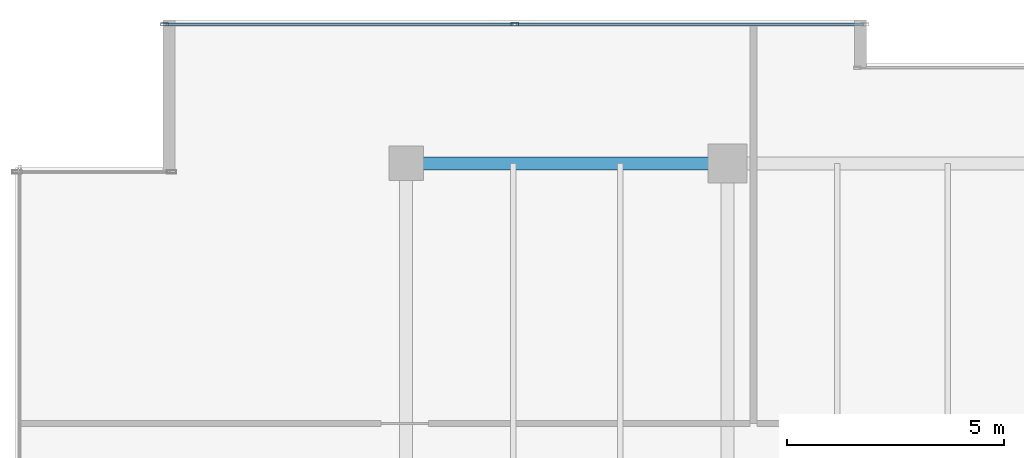
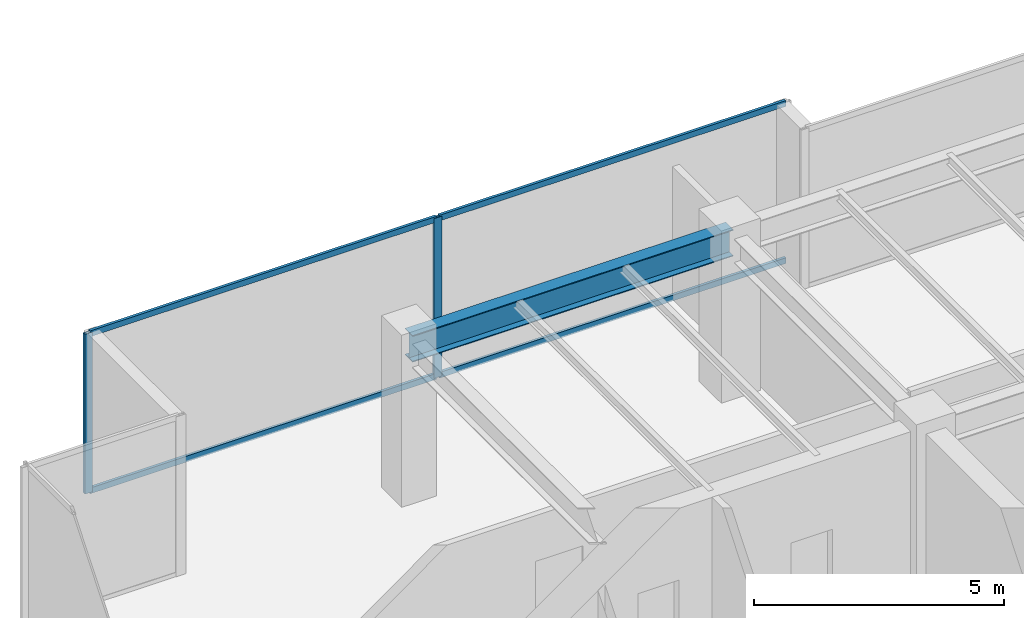
# One storey, part 20 of 31: 6 members, 1 beam, 1 element without a shape of its own.
"""IFC4 building model written with IfcOpenShell, lengths in metres."""

from ifc_helpers import new_model, si_unit, direction, frame, origin, origin_2d, place, context, subcontext, project, spatial, hollow_rectangle, i_section, extrude, source, transform, mapped, material, layer, layer_set, material_profile, profile_set, type_object, type_shapes, element, aggregate, save


model = new_model("IFC4")

# Units and contexts
model_context = context("Model", 3, precision=1e-05, world=origin(), true_north=direction((0.0, 1.0)))
body_context = subcontext(model_context, "Body", "Model", "MODEL_VIEW")
ifc_project = project(units=[si_unit("LENGTHUNIT", "METRE"), si_unit("AREAUNIT", "SQUARE_METRE"), si_unit("VOLUMEUNIT", "CUBIC_METRE"), si_unit("PLANEANGLEUNIT", "RADIAN"), si_unit("MASSUNIT", "GRAM", prefix="KILO")], contexts=[model_context])

# Site, building, storey
site_placement = place(None, origin())
site = spatial("IfcSite", under=ifc_project, at=site_placement, CompositionType="ELEMENT")
building_placement = place(site_placement, origin())
building = spatial("IfcBuilding", under=site, at=building_placement, Name="Haelvirn Gate Laboratories", CompositionType="ELEMENT")
storey_placement = place(building_placement, frame((0.0, 0.0, 318.60009765625)))
storey = spatial("IfcBuildingStorey", under=building, at=storey_placement, Name="L76", CompositionType="ELEMENT", Elevation=318.60009765625)

# Beam
ifc_material_1 = material(Name="Steel SM355", Category="steel")
ifc_material_profile_1 = material_profile(ifc_material_1, i_section(OverallWidth=0.300048828125, OverallDepth=0.64990234375, WebThickness=0.012939453125, FlangeThickness=0.02197265625, at=origin_2d()), Name="H-650x300x13x22")
ifc_profile_set_1 = profile_set([ifc_material_profile_1], Name="Steel SM355")
beam_type = type_object("IfcBeamType", Name="BM-G-650", PredefinedType="BEAM", material=ifc_profile_set_1)
shared_shape_1 = source(origin(), body_context, "Body", "SweptSolid", [
    extrude(i_section(OverallWidth=0.300048828125, OverallDepth=0.64990234375, WebThickness=0.012939453125, FlangeThickness=0.02197265625, at=origin_2d()), origin(), (0.0, 0.0, 1.0), 7.39990234375),
])
type_shapes(beam_type, [shared_shape_1])
beam_placement = place(storey_placement, frame((14.800048828125, 41.60009765625, 3.574951171875), z_axis=(1.0, 0.0, 0.0), x_axis=(0.0, 1.0, 0.0)))
element("IfcBeam", 1, at=beam_placement, inside=storey, type_object=beam_type, Name="L76 Primary Girder Y41.6 (14.8-22.2)", PredefinedType="BEAM", context=body_context, shape_type="MappedRepresentation", body=[
    mapped(shared_shape_1, transform((0.0, 0.0, 0.0), scale=1.0)),
])

# Curtain wall, members
ifc_material_2 = material(Name="Anodised bronze unitised aluminium & triple low-E glass", Category="aluminium")
ifc_layer = layer(ifc_material_2, 0.176025390625, Name="CW-SYS-4")
ifc_layer_set = layer_set([ifc_layer], Name="Anodised bronze unitised aluminium & triple low-E glass")
curtain_wall_type = type_object("IfcCurtainWallType", Name="CW-SYS-4", PredefinedType="NOTDEFINED", material=ifc_layer_set)
curtain_wall_placement = place(storey_placement, origin())
curtain_wall = element("IfcCurtainWall", 2, at=curtain_wall_placement, inside=storey, type_object=curtain_wall_type, Name="L76 Unitised Curtain Wall CW-L76-P0-E14-1", PredefinedType="NOTDEFINED")
ifc_material_3 = material(Name="Extruded aluminium 6063-T6 (anodised bronze)", Category="aluminium")
ifc_material_profile_2 = material_profile(ifc_material_3, hollow_rectangle(XDim=0.070068359375, YDim=0.179931640625, WallThickness=0.0048828125, at=origin_2d()), Name="CWM-180x70x5")
ifc_profile_set_2 = profile_set([ifc_material_profile_2], Name="Extruded aluminium 6063-T6 (anodised bronze)")
member_type_1 = type_object("IfcMemberType", Name="CWM-T180", PredefinedType="MULLION", material=ifc_profile_set_2)
shared_shape_2 = source(origin(), body_context, "Body", "SweptSolid", [
    extrude(hollow_rectangle(XDim=0.070068359375, YDim=0.179931640625, WallThickness=0.0048828125, at=origin_2d()), origin(), (0.0, 0.0, 1.0), 3.89990234375),
])
type_shapes(member_type_1, [shared_shape_2])
member_1_placement = place(storey_placement, frame((9.235107421875, 44.800048828125, 0.0), z_axis=(0.0, 0.0, 1.0), x_axis=(0.0, 1.0, 0.0)))
member_1 = element("IfcMember", 3, at=member_1_placement, type_object=member_type_1, Name="CW4 mullion 1", PredefinedType="MULLION", context=body_context, shape_type="MappedRepresentation", body=[
    mapped(shared_shape_2, transform((0.0, 0.0, 0.0), scale=1.0)),
])
member_2_placement = place(storey_placement, frame((17.300048828125, 44.800048828125, 0.0), z_axis=(0.0, 0.0, 1.0), x_axis=(0.0, 1.0, 0.0)))
member_2 = element("IfcMember", 4, at=member_2_placement, type_object=member_type_1, Name="CW4 mullion 2", PredefinedType="MULLION", context=body_context, shape_type="MappedRepresentation", body=[
    mapped(shared_shape_2, transform((0.0, 0.0, 0.0), scale=1.0)),
])
ifc_material_profile_3 = material_profile(ifc_material_3, hollow_rectangle(XDim=0.06494140625, YDim=0.139892578125, WallThickness=0.00390625, at=origin_2d()), Name="CWT-140x65x4")
ifc_profile_set_3 = profile_set([ifc_material_profile_3], Name="Extruded aluminium 6063-T6 (anodised bronze)")
member_type_2 = type_object("IfcMemberType", Name="CWT-T140", PredefinedType="USERDEFINED", material=ifc_profile_set_3)
shared_shape_3 = source(origin(), body_context, "Body", "SweptSolid", [
    extrude(hollow_rectangle(XDim=0.06494140625, YDim=0.139892578125, WallThickness=0.00390625, at=origin_2d()), origin(), (0.0, 0.0, 1.0), 7.9951171875),
])
member_3_placement = place(storey_placement, frame((17.3349609375, 44.800048828125, 0.032470703125), z_axis=(1.0, 0.0, 0.0), x_axis=(0.0, 1.0, 0.0)))
member_3 = element("IfcMember", 5, at=member_3_placement, type_object=member_type_2, Name="CW4 transom 2.1", ObjectType="TRANSOM", PredefinedType="USERDEFINED", context=body_context, shape_type="MappedRepresentation", body=[
    mapped(shared_shape_3, transform((0.0, 0.0, 0.0), scale=1.0)),
])
member_4_placement = place(storey_placement, frame((17.3349609375, 44.800048828125, 3.867431640625), z_axis=(1.0, 0.0, 0.0), x_axis=(0.0, 1.0, 0.0)))
member_4 = element("IfcMember", 6, at=member_4_placement, type_object=member_type_2, Name="CW4 transom 2.2", ObjectType="TRANSOM", PredefinedType="USERDEFINED", context=body_context, shape_type="MappedRepresentation", body=[
    mapped(shared_shape_3, transform((0.0, 0.0, 0.0), scale=1.0)),
])
shared_shape_4 = source(origin(), body_context, "Body", "SweptSolid", [
    extrude(hollow_rectangle(XDim=0.06494140625, YDim=0.139892578125, WallThickness=0.00390625, at=origin_2d()), origin(), (0.0, 0.0, 1.0), 7.994873046875),
])
type_shapes(member_type_2, [shared_shape_3, shared_shape_4])
member_5_placement = place(storey_placement, frame((9.27001953125, 44.800048828125, 0.032470703125), z_axis=(1.0, 0.0, 0.0), x_axis=(0.0, 1.0, 0.0)))
member_5 = element("IfcMember", 7, at=member_5_placement, type_object=member_type_2, Name="CW4 transom 1.1", ObjectType="TRANSOM", PredefinedType="USERDEFINED", context=body_context, shape_type="MappedRepresentation", body=[
    mapped(shared_shape_4, transform((0.0, 0.0, 0.0), scale=1.0)),
])
member_6_placement = place(storey_placement, frame((9.27001953125, 44.800048828125, 3.867431640625), z_axis=(1.0, 0.0, 0.0), x_axis=(0.0, 1.0, 0.0)))
member_6 = element("IfcMember", 8, at=member_6_placement, type_object=member_type_2, Name="CW4 transom 1.2", ObjectType="TRANSOM", PredefinedType="USERDEFINED", context=body_context, shape_type="MappedRepresentation", body=[
    mapped(shared_shape_4, transform((0.0, 0.0, 0.0), scale=1.0)),
])
aggregate(curtain_wall, [member_1, member_2, member_5, member_6, member_3, member_4])

save(model, "model.ifc")
